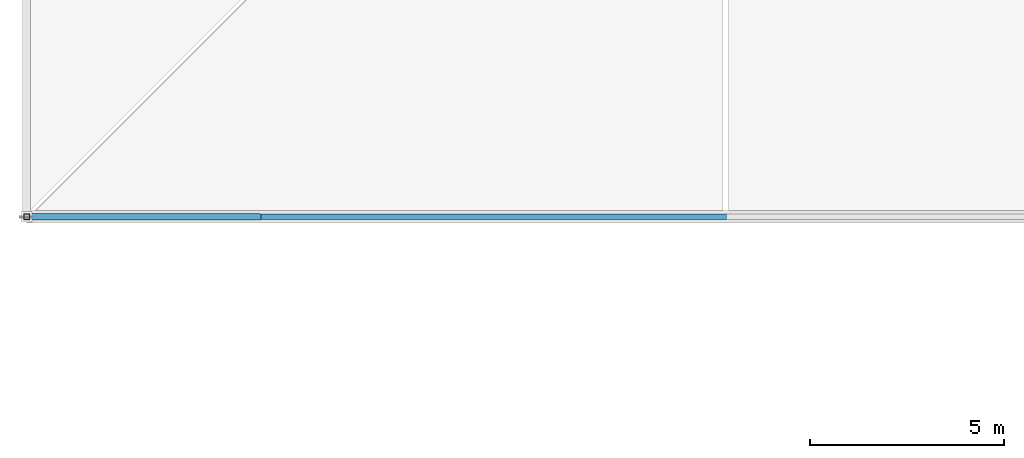
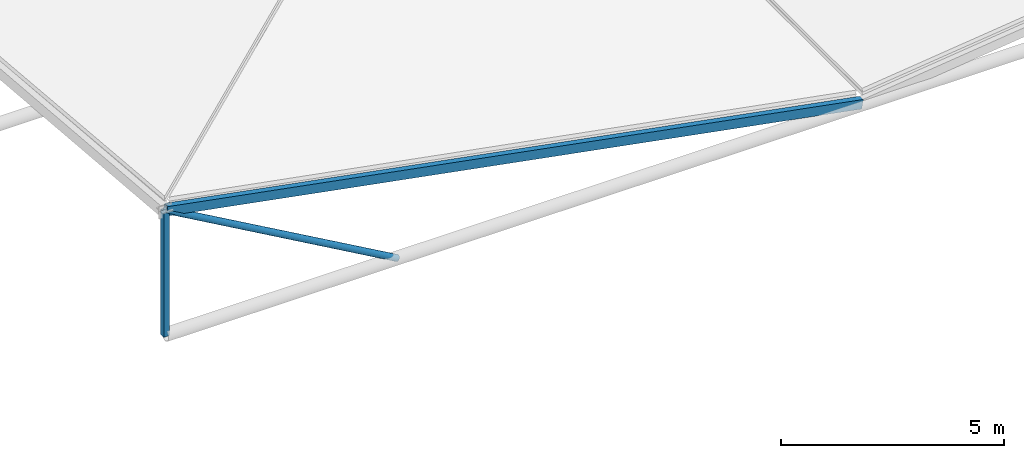
# One storey, part 3 of 44: 3 members.
"""IFC4 building model written with IfcOpenShell, lengths in metres."""

from ifc_helpers import new_model, si_unit, direction, frame, origin, origin_2d, place, context, subcontext, project, spatial, hollow_rectangle, hollow_circle, extrude, material, material_profile, profile_set, type_object, element, save


model = new_model("IFC4")

# Units and contexts
model_context = context("Model", 3, precision=1e-05, world=origin(), true_north=direction((0.0, 1.0)))
body_context = subcontext(model_context, "Body", "Model", "MODEL_VIEW")
ifc_project = project(units=[si_unit("LENGTHUNIT", "METRE"), si_unit("AREAUNIT", "SQUARE_METRE"), si_unit("VOLUMEUNIT", "CUBIC_METRE"), si_unit("PLANEANGLEUNIT", "RADIAN"), si_unit("MASSUNIT", "GRAM", prefix="KILO")], contexts=[model_context])

# Site, building, storey
site_placement = place(None, origin())
site = spatial("IfcSite", under=ifc_project, at=site_placement, CompositionType="ELEMENT")
building_placement = place(site_placement, origin())
building = spatial("IfcBuilding", under=site, at=building_placement, Name="Deido Ridge Mobility Hub", CompositionType="ELEMENT")
storey_placement = place(building_placement, frame((0.0, 0.0, 25.199951171875)))
storey = spatial("IfcBuildingStorey", under=building, at=storey_placement, Name="L06", CompositionType="ELEMENT", Elevation=25.199951171875)

# Members
ifc_material = material(Name="Steel S355J2H EN 10210-1", Category="steel")
ifc_material_profile_1 = material_profile(ifc_material, hollow_rectangle(XDim=0.14990234375, YDim=0.14990234375, WallThickness=0.008056640625, at=origin_2d()), Name="SHS 150x150x8")
ifc_profile_set_1 = profile_set([ifc_material_profile_1], Name="Steel S355J2H EN 10210-1")
member_type_1 = type_object("IfcMemberType", Name="MEM-PST-SHS150", PredefinedType="POST", material=ifc_profile_set_1)
member_1_placement = place(storey_placement, frame((63.0, 45.0, 0.0), z_axis=(0.0, 0.0, 1.0), x_axis=(1.0, 0.0, 0.0)))
element("IfcMember", 1, at=member_1_placement, inside=storey, type_object=member_type_1, Name="Origami eaves post PS1", PredefinedType="POST", context=body_context, shape_type="SweptSolid", body=[
    extrude(hollow_rectangle(XDim=0.14990234375, YDim=0.14990234375, WallThickness=0.008056640625, at=origin_2d()), origin(), (0.0, 0.0, 1.0), 3.420166015625),
])
ifc_material_profile_2 = material_profile(ifc_material, hollow_rectangle(XDim=0.14990234375, YDim=0.25, WallThickness=0.010009765625, at=origin_2d()), Name="RHS 250x150x10")
ifc_profile_set_2 = profile_set([ifc_material_profile_2], Name="Steel S355J2H EN 10210-1")
member_type_2 = type_object("IfcMemberType", Name="MEM-RAF-RHS250", PredefinedType="RAFTER", material=ifc_profile_set_2)
member_2_placement = place(storey_placement, frame((63.0, 45.0, 3.420166015625), z_axis=(0.982920449195, 0.0, -0.184030949988), x_axis=(0.0, 1.0, 0.0)))
element("IfcMember", 2, at=member_2_placement, inside=storey, type_object=member_type_2, Name="Sports origami rafter RF1", PredefinedType="RAFTER", context=body_context, shape_type="SweptSolid", body=[
    extrude(hollow_rectangle(XDim=0.14990234375, YDim=0.25, WallThickness=0.010009765625, at=origin_2d()), origin(), (0.0, 0.0, 1.0), 18.312744140625),
])
ifc_material_profile_3 = material_profile(ifc_material, hollow_circle(Radius=0.084228515625, WallThickness=0.008056640625, at=origin_2d()), Name="CHS 168.3x8")
ifc_profile_set_3 = profile_set([ifc_material_profile_3], Name="Steel S355J2H EN 10210-1")
member_type_3 = type_object("IfcMemberType", Name="MEM-STR-CHS168", PredefinedType="STRUT", material=ifc_profile_set_3)
member_3_placement = place(storey_placement, frame((69.0, 45.0, 0.0), z_axis=(-0.868766928284, 0.0, 0.495221187269), x_axis=(0.0, -1.0, 0.0)))
element("IfcMember", 3, at=member_3_placement, inside=storey, type_object=member_type_3, Name="Origami diagonal web SR1", PredefinedType="STRUT", context=body_context, shape_type="SweptSolid", body=[
    extrude(hollow_circle(Radius=0.084228515625, WallThickness=0.008056640625, at=origin_2d()), origin(), (0.0, 0.0, 1.0), 6.90625),
])

save(model, "model.ifc")
